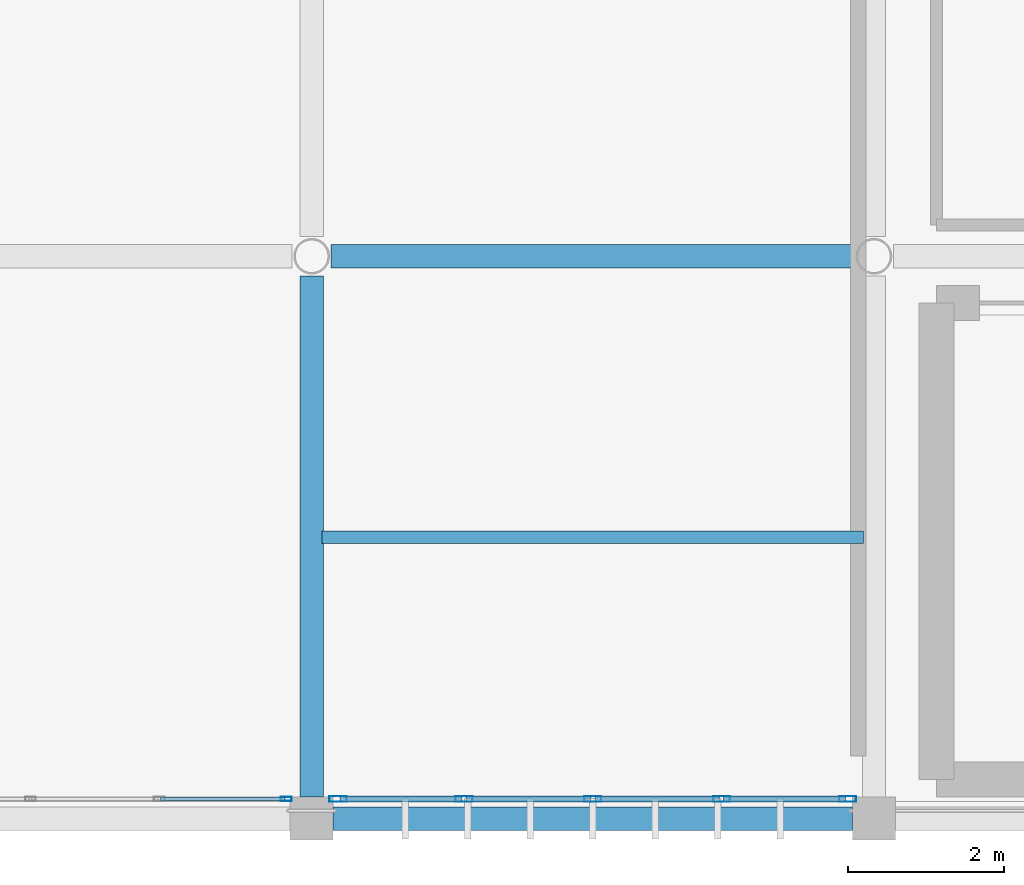
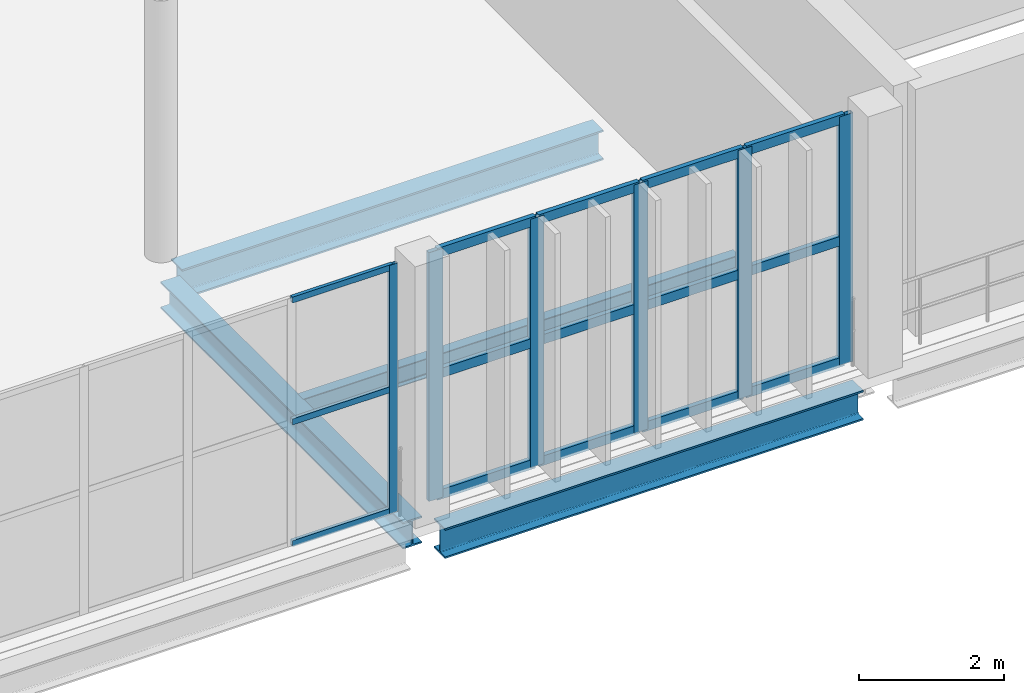
# One storey, part 27 of 81: 21 members, 4 beams, 2 elements without a shape of their own.
"""IFC4 building model written with IfcOpenShell, lengths in metres."""

from ifc_helpers import new_model, si_unit, direction, frame, origin, origin_2d, place, context, subcontext, project, spatial, hollow_rectangle, i_section, extrude, material, material_profile, profile_set, type_object, element, aggregate, save


model = new_model("IFC4")

# Units and contexts
model_context = context("Model", 3, precision=1e-05, world=origin(), true_north=direction((0.0, 1.0)))
body_context = subcontext(model_context, "Body", "Model", "MODEL_VIEW")
ifc_project = project(units=[si_unit("LENGTHUNIT", "METRE"), si_unit("AREAUNIT", "SQUARE_METRE"), si_unit("VOLUMEUNIT", "CUBIC_METRE"), si_unit("PLANEANGLEUNIT", "RADIAN"), si_unit("MASSUNIT", "GRAM", prefix="KILO")], contexts=[model_context])

# Site, building, storey
site_placement = place(None, origin())
site = spatial("IfcSite", under=ifc_project, at=site_placement, CompositionType="ELEMENT")
building_placement = place(site_placement, origin())
building = spatial("IfcBuilding", under=site, at=building_placement, Name="Qandorah Velis Arena", CompositionType="ELEMENT")
storey_placement = place(building_placement, frame((0.0, 0.0, 18.60009765625)))
storey = spatial("IfcBuildingStorey", under=building, at=storey_placement, Name="L04", CompositionType="ELEMENT", Elevation=18.60009765625)

# Curtain wall, member
ifc_material_1 = material(Name="Solar-control low-E double glazing", Category="glass")
curtain_wall_type_1 = type_object("IfcCurtainWallType", Name="ARC-CW-SYS04", PredefinedType="USERDEFINED", material=ifc_material_1)
curtain_wall_1_placement = place(storey_placement, origin())
curtain_wall_1 = element("IfcCurtainWall", 1, at=curtain_wall_1_placement, inside=storey, type_object=curtain_wall_type_1, Name="Unitised curtain wall L04-076", ObjectType="UNITISED CURTAIN WALL", PredefinedType="USERDEFINED")
ifc_material_2 = material(Name="Champagne-bronze anodized aluminium 6063-T6", Category="aluminium")
ifc_material_profile_1 = material_profile(ifc_material_2, hollow_rectangle(XDim=0.054931640625, YDim=0.139892578125, WallThickness=0.0029296875, at=origin_2d()), Name="ALU MULLION 55x140")
ifc_profile_set_1 = profile_set([ifc_material_profile_1], Name="Champagne-bronze anodized aluminium 6063-T6")
member_type_1 = type_object("IfcMemberType", Name="ARC-CWM-140", PredefinedType="MULLION", material=ifc_profile_set_1)
member_1_placement = place(storey_placement, frame((64.472412109375, 0.25, -0.01513671875), z_axis=(0.0, 0.0, 1.0), x_axis=(0.0, 1.0, 0.0)))
member_1 = element("IfcMember", 2, at=member_1_placement, type_object=member_type_1, Name="CW04 mullion 5", PredefinedType="MULLION", context=body_context, shape_type="SweptSolid", body=[
    extrude(hollow_rectangle(XDim=0.054931640625, YDim=0.139892578125, WallThickness=0.0029296875, at=origin_2d()), origin(), (0.0, 0.0, 1.0), 4.179931640625),
])

# Curtain wall, members
curtain_wall_type_2 = type_object("IfcCurtainWallType", Name="ARC-CW-SYS05", PredefinedType="USERDEFINED", material=ifc_material_1)
curtain_wall_2_placement = place(storey_placement, origin())
curtain_wall_2 = element("IfcCurtainWall", 3, at=curtain_wall_2_placement, inside=storey, type_object=curtain_wall_type_2, Name="Unitised curtain wall L04-077", ObjectType="UNITISED CURTAIN WALL", PredefinedType="USERDEFINED")
ifc_material_profile_2 = material_profile(ifc_material_2, hollow_rectangle(XDim=0.074951171875, YDim=0.219970703125, WallThickness=0.00390625, at=origin_2d()), Name="ALU MULLION 75x220")
ifc_profile_set_2 = profile_set([ifc_material_profile_2], Name="Champagne-bronze anodized aluminium 6063-T6")
member_type_2 = type_object("IfcMemberType", Name="ARC-CWM-220", PredefinedType="MULLION", material=ifc_profile_set_2)
member_2_placement = place(storey_placement, frame((65.137451171875, 0.25, -0.01513671875), z_axis=(0.0, 0.0, 1.0), x_axis=(0.0, 1.0, 0.0)))
member_2 = element("IfcMember", 4, at=member_2_placement, type_object=member_type_2, Name="CW05 mullion 1", PredefinedType="MULLION", context=body_context, shape_type="SweptSolid", body=[
    extrude(hollow_rectangle(XDim=0.074951171875, YDim=0.219970703125, WallThickness=0.00390625, at=origin_2d()), origin(), (0.0, 0.0, 1.0), 4.179931640625),
])
member_3_placement = place(storey_placement, frame((66.75, 0.25, -0.01513671875), z_axis=(0.0, 0.0, 1.0), x_axis=(0.0, 1.0, 0.0)))
member_3 = element("IfcMember", 5, at=member_3_placement, type_object=member_type_2, Name="CW05 mullion 2", PredefinedType="MULLION", context=body_context, shape_type="SweptSolid", body=[
    extrude(hollow_rectangle(XDim=0.074951171875, YDim=0.219970703125, WallThickness=0.00390625, at=origin_2d()), origin(), (0.0, 0.0, 1.0), 4.179931640625),
])
member_4_placement = place(storey_placement, frame((68.39990234375, 0.25, -0.01513671875), z_axis=(0.0, 0.0, 1.0), x_axis=(0.0, 1.0, 0.0)))
member_4 = element("IfcMember", 6, at=member_4_placement, type_object=member_type_2, Name="CW05 mullion 3", PredefinedType="MULLION", context=body_context, shape_type="SweptSolid", body=[
    extrude(hollow_rectangle(XDim=0.074951171875, YDim=0.219970703125, WallThickness=0.00390625, at=origin_2d()), origin(), (0.0, 0.0, 1.0), 4.179931640625),
])
member_5_placement = place(storey_placement, frame((70.050048828125, 0.25, -0.01513671875), z_axis=(0.0, 0.0, 1.0), x_axis=(0.0, 1.0, 0.0)))
member_5 = element("IfcMember", 7, at=member_5_placement, type_object=member_type_2, Name="CW05 mullion 4", PredefinedType="MULLION", context=body_context, shape_type="SweptSolid", body=[
    extrude(hollow_rectangle(XDim=0.074951171875, YDim=0.219970703125, WallThickness=0.00390625, at=origin_2d()), origin(), (0.0, 0.0, 1.0), 4.179931640625),
])
member_6_placement = place(storey_placement, frame((71.66259765625, 0.25, -0.01513671875), z_axis=(0.0, 0.0, 1.0), x_axis=(0.0, 1.0, 0.0)))
member_6 = element("IfcMember", 8, at=member_6_placement, type_object=member_type_2, Name="CW05 mullion 5", PredefinedType="MULLION", context=body_context, shape_type="SweptSolid", body=[
    extrude(hollow_rectangle(XDim=0.074951171875, YDim=0.219970703125, WallThickness=0.00390625, at=origin_2d()), origin(), (0.0, 0.0, 1.0), 4.179931640625),
])

# Member
ifc_material_profile_3 = material_profile(ifc_material_2, hollow_rectangle(XDim=0.054931640625, YDim=0.10009765625, WallThickness=0.0029296875, at=origin_2d()), Name="ALU TRANSOM 55x100")
ifc_profile_set_3 = profile_set([ifc_material_profile_3], Name="Champagne-bronze anodized aluminium 6063-T6")
member_type_3 = type_object("IfcMemberType", Name="ARC-CWT-100", PredefinedType="USERDEFINED", material=ifc_profile_set_3)
member_7_placement = place(storey_placement, frame((62.865478515625, 0.25, 0.02734375), z_axis=(1.0, 0.0, 0.0), x_axis=(0.0, 1.0, 0.0)))
member_7 = element("IfcMember", 9, at=member_7_placement, type_object=member_type_3, Name="CW04 transom 4.1", ObjectType="TRANSOM", PredefinedType="USERDEFINED", context=body_context, shape_type="SweptSolid", body=[
    extrude(hollow_rectangle(XDim=0.054931640625, YDim=0.10009765625, WallThickness=0.0029296875, at=origin_2d()), origin(), (0.0, 0.0, 1.0), 1.591552734375),
])

member_8_placement = place(storey_placement, frame((62.865478515625, 0.25, 2.074951171875), z_axis=(1.0, 0.0, 0.0), x_axis=(0.0, 1.0, 0.0)))
member_8 = element("IfcMember", 10, at=member_8_placement, type_object=member_type_3, Name="CW04 transom 4.2", ObjectType="TRANSOM", PredefinedType="USERDEFINED", context=body_context, shape_type="SweptSolid", body=[
    extrude(hollow_rectangle(XDim=0.054931640625, YDim=0.10009765625, WallThickness=0.0029296875, at=origin_2d()), origin(), (0.0, 0.0, 1.0), 1.591552734375),
])

member_9_placement = place(storey_placement, frame((62.865478515625, 0.25, 4.122314453125), z_axis=(1.0, 0.0, 0.0), x_axis=(0.0, 1.0, 0.0)))
member_9 = element("IfcMember", 11, at=member_9_placement, type_object=member_type_3, Name="CW04 transom 4.3", ObjectType="TRANSOM", PredefinedType="USERDEFINED", context=body_context, shape_type="SweptSolid", body=[
    extrude(hollow_rectangle(XDim=0.054931640625, YDim=0.10009765625, WallThickness=0.0029296875, at=origin_2d()), origin(), (0.0, 0.0, 1.0), 1.591552734375),
])

aggregate(curtain_wall_1, [member_1, member_7, member_8, member_9])

ifc_material_profile_4 = material_profile(ifc_material_2, hollow_rectangle(XDim=0.074951171875, YDim=0.159912109375, WallThickness=0.00341796875, at=origin_2d()), Name="ALU TRANSOM 75x160")
ifc_profile_set_4 = profile_set([ifc_material_profile_4], Name="Champagne-bronze anodized aluminium 6063-T6")
member_type_4 = type_object("IfcMemberType", Name="ARC-CWT-160", PredefinedType="USERDEFINED", material=ifc_profile_set_4)
member_10_placement = place(storey_placement, frame((65.1630859375, 0.25, 0.037353515625), z_axis=(1.0, 0.0, 0.0), x_axis=(0.0, 1.0, 0.0)))
member_10 = element("IfcMember", 12, at=member_10_placement, type_object=member_type_4, Name="CW05 transom 1.1", ObjectType="TRANSOM", PredefinedType="USERDEFINED", context=body_context, shape_type="SweptSolid", body=[
    extrude(hollow_rectangle(XDim=0.074951171875, YDim=0.159912109375, WallThickness=0.00341796875, at=origin_2d()), origin(), (0.0, 0.0, 1.0), 1.5615234375),
])

member_11_placement = place(storey_placement, frame((65.1630859375, 0.25, 2.074951171875), z_axis=(1.0, 0.0, 0.0), x_axis=(0.0, 1.0, 0.0)))
member_11 = element("IfcMember", 13, at=member_11_placement, type_object=member_type_4, Name="CW05 transom 1.2", ObjectType="TRANSOM", PredefinedType="USERDEFINED", context=body_context, shape_type="SweptSolid", body=[
    extrude(hollow_rectangle(XDim=0.074951171875, YDim=0.159912109375, WallThickness=0.00341796875, at=origin_2d()), origin(), (0.0, 0.0, 1.0), 1.5615234375),
])

member_12_placement = place(storey_placement, frame((65.1630859375, 0.25, 4.1123046875), z_axis=(1.0, 0.0, 0.0), x_axis=(0.0, 1.0, 0.0)))
member_12 = element("IfcMember", 14, at=member_12_placement, type_object=member_type_4, Name="CW05 transom 1.3", ObjectType="TRANSOM", PredefinedType="USERDEFINED", context=body_context, shape_type="SweptSolid", body=[
    extrude(hollow_rectangle(XDim=0.074951171875, YDim=0.159912109375, WallThickness=0.00341796875, at=origin_2d()), origin(), (0.0, 0.0, 1.0), 1.5615234375),
])

member_13_placement = place(storey_placement, frame((66.775390625, 0.25, 0.037353515625), z_axis=(1.0, 0.0, 0.0), x_axis=(0.0, 1.0, 0.0)))
member_13 = element("IfcMember", 15, at=member_13_placement, type_object=member_type_4, Name="CW05 transom 2.1", ObjectType="TRANSOM", PredefinedType="USERDEFINED", context=body_context, shape_type="SweptSolid", body=[
    extrude(hollow_rectangle(XDim=0.074951171875, YDim=0.159912109375, WallThickness=0.00341796875, at=origin_2d()), origin(), (0.0, 0.0, 1.0), 1.59912109375),
])

member_14_placement = place(storey_placement, frame((66.775390625, 0.25, 2.074951171875), z_axis=(1.0, 0.0, 0.0), x_axis=(0.0, 1.0, 0.0)))
member_14 = element("IfcMember", 16, at=member_14_placement, type_object=member_type_4, Name="CW05 transom 2.2", ObjectType="TRANSOM", PredefinedType="USERDEFINED", context=body_context, shape_type="SweptSolid", body=[
    extrude(hollow_rectangle(XDim=0.074951171875, YDim=0.159912109375, WallThickness=0.00341796875, at=origin_2d()), origin(), (0.0, 0.0, 1.0), 1.59912109375),
])

member_15_placement = place(storey_placement, frame((66.775390625, 0.25, 4.1123046875), z_axis=(1.0, 0.0, 0.0), x_axis=(0.0, 1.0, 0.0)))
member_15 = element("IfcMember", 17, at=member_15_placement, type_object=member_type_4, Name="CW05 transom 2.3", ObjectType="TRANSOM", PredefinedType="USERDEFINED", context=body_context, shape_type="SweptSolid", body=[
    extrude(hollow_rectangle(XDim=0.074951171875, YDim=0.159912109375, WallThickness=0.00341796875, at=origin_2d()), origin(), (0.0, 0.0, 1.0), 1.59912109375),
])

member_16_placement = place(storey_placement, frame((68.425537109375, 0.25, 0.037353515625), z_axis=(1.0, 0.0, 0.0), x_axis=(0.0, 1.0, 0.0)))
member_16 = element("IfcMember", 18, at=member_16_placement, type_object=member_type_4, Name="CW05 transom 3.1", ObjectType="TRANSOM", PredefinedType="USERDEFINED", context=body_context, shape_type="SweptSolid", body=[
    extrude(hollow_rectangle(XDim=0.074951171875, YDim=0.159912109375, WallThickness=0.00341796875, at=origin_2d()), origin(), (0.0, 0.0, 1.0), 1.598876953125),
])

member_17_placement = place(storey_placement, frame((68.425537109375, 0.25, 2.074951171875), z_axis=(1.0, 0.0, 0.0), x_axis=(0.0, 1.0, 0.0)))
member_17 = element("IfcMember", 19, at=member_17_placement, type_object=member_type_4, Name="CW05 transom 3.2", ObjectType="TRANSOM", PredefinedType="USERDEFINED", context=body_context, shape_type="SweptSolid", body=[
    extrude(hollow_rectangle(XDim=0.074951171875, YDim=0.159912109375, WallThickness=0.00341796875, at=origin_2d()), origin(), (0.0, 0.0, 1.0), 1.598876953125),
])

member_18_placement = place(storey_placement, frame((68.425537109375, 0.25, 4.1123046875), z_axis=(1.0, 0.0, 0.0), x_axis=(0.0, 1.0, 0.0)))
member_18 = element("IfcMember", 20, at=member_18_placement, type_object=member_type_4, Name="CW05 transom 3.3", ObjectType="TRANSOM", PredefinedType="USERDEFINED", context=body_context, shape_type="SweptSolid", body=[
    extrude(hollow_rectangle(XDim=0.074951171875, YDim=0.159912109375, WallThickness=0.00341796875, at=origin_2d()), origin(), (0.0, 0.0, 1.0), 1.598876953125),
])

member_19_placement = place(storey_placement, frame((70.075439453125, 0.25, 0.037353515625), z_axis=(1.0, 0.0, 0.0), x_axis=(0.0, 1.0, 0.0)))
member_19 = element("IfcMember", 21, at=member_19_placement, type_object=member_type_4, Name="CW05 transom 4.1", ObjectType="TRANSOM", PredefinedType="USERDEFINED", context=body_context, shape_type="SweptSolid", body=[
    extrude(hollow_rectangle(XDim=0.074951171875, YDim=0.159912109375, WallThickness=0.00341796875, at=origin_2d()), origin(), (0.0, 0.0, 1.0), 1.5615234375),
])

member_20_placement = place(storey_placement, frame((70.075439453125, 0.25, 2.074951171875), z_axis=(1.0, 0.0, 0.0), x_axis=(0.0, 1.0, 0.0)))
member_20 = element("IfcMember", 22, at=member_20_placement, type_object=member_type_4, Name="CW05 transom 4.2", ObjectType="TRANSOM", PredefinedType="USERDEFINED", context=body_context, shape_type="SweptSolid", body=[
    extrude(hollow_rectangle(XDim=0.074951171875, YDim=0.159912109375, WallThickness=0.00341796875, at=origin_2d()), origin(), (0.0, 0.0, 1.0), 1.5615234375),
])

member_21_placement = place(storey_placement, frame((70.075439453125, 0.25, 4.1123046875), z_axis=(1.0, 0.0, 0.0), x_axis=(0.0, 1.0, 0.0)))
member_21 = element("IfcMember", 23, at=member_21_placement, type_object=member_type_4, Name="CW05 transom 4.3", ObjectType="TRANSOM", PredefinedType="USERDEFINED", context=body_context, shape_type="SweptSolid", body=[
    extrude(hollow_rectangle(XDim=0.074951171875, YDim=0.159912109375, WallThickness=0.00341796875, at=origin_2d()), origin(), (0.0, 0.0, 1.0), 1.5615234375),
])

aggregate(curtain_wall_2, [member_2, member_3, member_4, member_5, member_6, member_10, member_11, member_12, member_13, member_14, member_15, member_16, member_17, member_18, member_19, member_20, member_21])

# Beams
ifc_material_3 = material(Name="Steel S355", Category="steel")
ifc_material_profile_5 = material_profile(ifc_material_3, i_section(OverallWidth=0.300048828125, OverallDepth=0.449951171875, WebThickness=0.013916015625, FlangeThickness=0.02587890625, FilletRadius=0.027099609375, at=origin_2d()), Name="HEB 450")
ifc_profile_set_5 = profile_set([ifc_material_profile_5], Name="Steel S355")
beam_type_1 = type_object("IfcBeamType", Name="STR-BM-HEB450", PredefinedType="BEAM", material=ifc_profile_set_5)
beam_1_placement = place(storey_placement, frame((64.800048828125, 0.27490234375, -0.4951171875), z_axis=(0.0, 1.0, 0.0), x_axis=(-1.0, 0.0, 0.0)))
element("IfcBeam", 24, at=beam_1_placement, inside=storey, type_object=beam_type_1, Name="Primary floor girder L04 Y-216", PredefinedType="BEAM", context=body_context, shape_type="SweptSolid", body=[
    extrude(i_section(OverallWidth=0.300048828125, OverallDepth=0.449951171875, WebThickness=0.013916015625, FlangeThickness=0.02587890625, FilletRadius=0.027099609375, at=origin_2d()), origin(), (0.0, 0.0, 1.0), 6.675048828125),
])
ifc_material_profile_6 = material_profile(ifc_material_3, i_section(OverallWidth=0.300048828125, OverallDepth=0.5, WebThickness=0.014404296875, FlangeThickness=0.028076171875, FilletRadius=0.027099609375, at=origin_2d()), Name="HEB 500")
ifc_profile_set_6 = profile_set([ifc_material_profile_6], Name="Steel S355")
beam_type_2 = type_object("IfcBeamType", Name="STR-BM-HEB500", PredefinedType="BEAM", material=ifc_profile_set_6)
beam_2_placement = place(storey_placement, frame((65.074951171875, 0.0, -0.52001953125), z_axis=(1.0, 0.0, 0.0), x_axis=(0.0, 1.0, 0.0)))
element("IfcBeam", 25, at=beam_2_placement, inside=storey, type_object=beam_type_2, Name="Primary floor girder L04 X-006", PredefinedType="BEAM", context=body_context, shape_type="SweptSolid", body=[
    extrude(i_section(OverallWidth=0.300048828125, OverallDepth=0.5, WebThickness=0.014404296875, FlangeThickness=0.028076171875, FilletRadius=0.027099609375, at=origin_2d()), origin(), (0.0, 0.0, 1.0), 6.650146484375),
])
beam_3_placement = place(storey_placement, frame((65.050048828125, 7.199951171875, -0.52001953125), z_axis=(1.0, 0.0, 0.0), x_axis=(0.0, 1.0, 0.0)))
element("IfcBeam", 26, at=beam_3_placement, inside=storey, type_object=beam_type_2, Name="Primary floor girder L04 X-018", PredefinedType="BEAM", context=body_context, shape_type="SweptSolid", body=[
    extrude(i_section(OverallWidth=0.300048828125, OverallDepth=0.5, WebThickness=0.014404296875, FlangeThickness=0.028076171875, FilletRadius=0.027099609375, at=origin_2d()), origin(), (0.0, 0.0, 1.0), 6.699951171875),
])
ifc_material_profile_7 = material_profile(ifc_material_3, i_section(OverallWidth=0.159912109375, OverallDepth=0.330078125, WebThickness=0.007568359375, FlangeThickness=0.011474609375, FilletRadius=0.01806640625, at=origin_2d()), Name="IPE 330")
ifc_profile_set_7 = profile_set([ifc_material_profile_7], Name="Steel S355")
beam_type_3 = type_object("IfcBeamType", Name="STR-JST-IPE330", PredefinedType="JOIST", material=ifc_profile_set_7)
beam_4_placement = place(storey_placement, frame((64.93505859375, 3.60009765625, -0.43505859375), z_axis=(1.0, 0.0, 0.0), x_axis=(0.0, 1.0, 0.0)))
element("IfcBeam", 27, at=beam_4_placement, inside=storey, type_object=beam_type_3, Name="Secondary floor joist L04-045", PredefinedType="JOIST", context=body_context, shape_type="SweptSolid", body=[
    extrude(i_section(OverallWidth=0.159912109375, OverallDepth=0.330078125, WebThickness=0.007568359375, FlangeThickness=0.011474609375, FilletRadius=0.01806640625, at=origin_2d()), origin(), (0.0, 0.0, 1.0), 6.929931640625),
])

save(model, "model.ifc")
